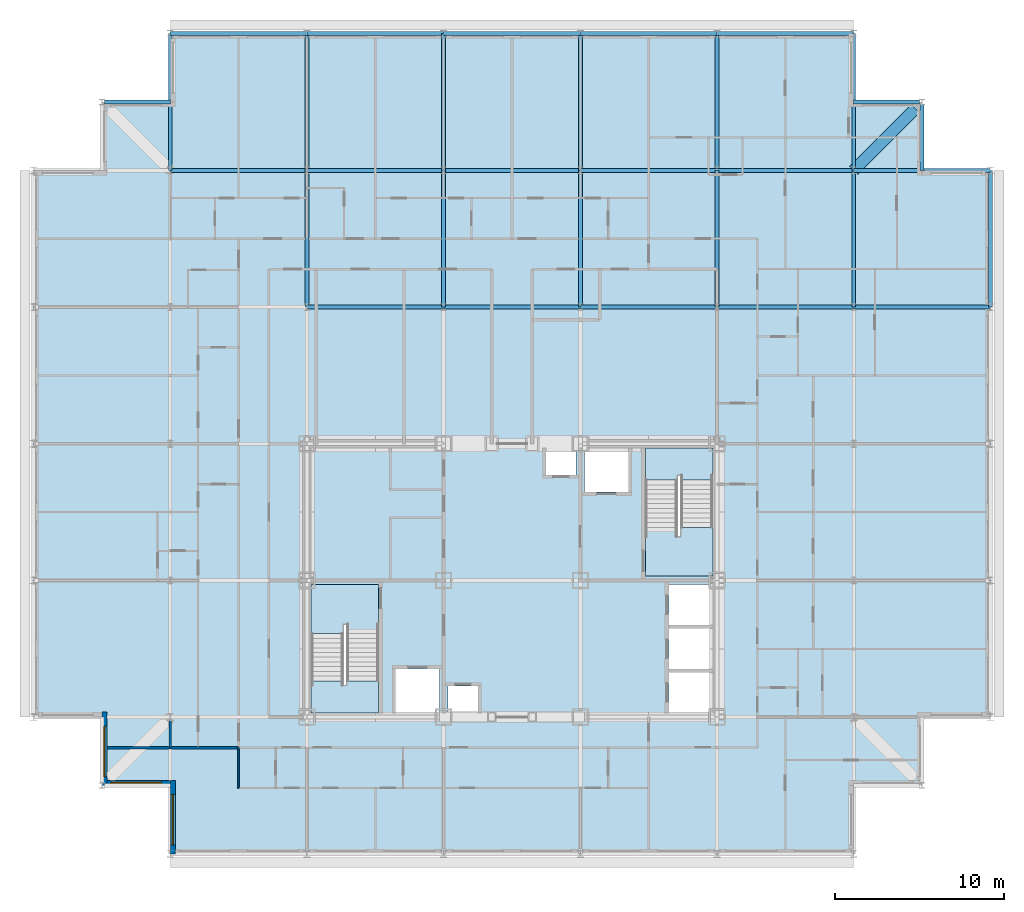
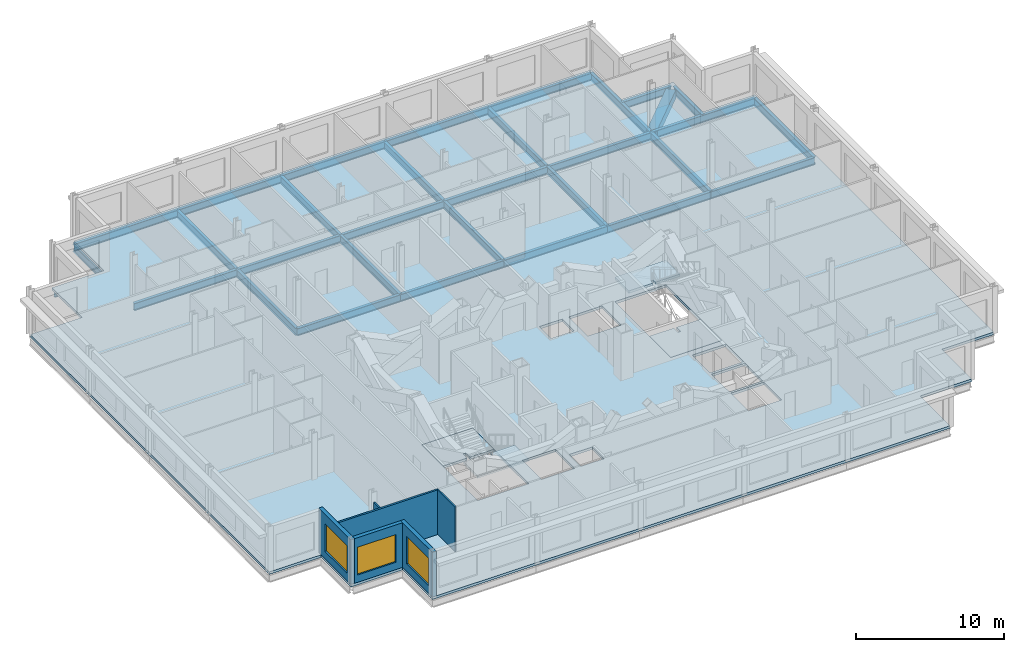
# One storey, part 6 of 15: 32 beams, 6 walls, 5 slabs, 3 windows, 3 openings, 2 elements without a shape of their own.
"""IFC4 building model written with IfcOpenShell, lengths in metres."""

from ifc_helpers import new_model, si_unit, direction, frame, frame_2d, origin, origin_2d, place, context, subcontext, project, spatial, polyline, rectangle, hollow_rectangle, i_section, outline, extrude, material, layer, layer_set, material_profile, profile_set, type_object, element, fill, aggregate, save


model = new_model("IFC4")

# Units and contexts
model_context = context("Model", 3, precision=1e-05, world=origin(), true_north=direction((0.0, 1.0)))
body_context = subcontext(model_context, "Body", "Model", "MODEL_VIEW")
ifc_project = project(units=[si_unit("LENGTHUNIT", "METRE"), si_unit("AREAUNIT", "SQUARE_METRE"), si_unit("VOLUMEUNIT", "CUBIC_METRE"), si_unit("PLANEANGLEUNIT", "RADIAN"), si_unit("MASSUNIT", "GRAM", prefix="KILO")], contexts=[model_context])

# Site, building, storey
site_placement = place(None, origin())
site = spatial("IfcSite", under=ifc_project, at=site_placement, CompositionType="ELEMENT")
building_placement = place(site_placement, origin())
building = spatial("IfcBuilding", under=site, at=building_placement, Name="Kopane Lantern Tower", CompositionType="ELEMENT")
storey_placement = place(building_placement, frame((0.0, 0.0, 269.699951171875)))
storey = spatial("IfcBuildingStorey", under=building, at=storey_placement, Name="L69", CompositionType="ELEMENT", Elevation=269.699951171875)

# Beams
ifc_material_1 = material(Name="Steel S355JR", Category="steel")
ifc_material_profile_1 = material_profile(ifc_material_1, hollow_rectangle(XDim=0.699951171875, YDim=0.699951171875, WallThickness=0.06005859375, at=origin_2d()), Name="BOX 700x700x60")
ifc_profile_set_1 = profile_set([ifc_material_profile_1], Name="Steel S355JR")
beam_type_1 = type_object("IfcBeamType", Name="CORNER TIE BEAM BOX 700x700x60", PredefinedType="BEAM", material=ifc_profile_set_1)
beam_1_placement = place(storey_placement, frame((52.25244140625, 60.3525390625, -0.56005859375), z_axis=(-0.707083148333, -0.70713041325, 0.0), x_axis=(0.70713041325, -0.707083148333, 0.0)))
element("IfcBeam", 1, at=beam_1_placement, inside=storey, type_object=beam_type_1, Name="Corner Tie Beam L69", PredefinedType="BEAM", context=body_context, shape_type="SweptSolid", body=[
    extrude(hollow_rectangle(XDim=0.699951171875, YDim=0.699951171875, WallThickness=0.06005859375, at=origin_2d()), origin(), (0.0, 0.0, 1.0), 5.165283203125),
])
ifc_material_2 = material(Name="Steel S355JR", Category="steel")
ifc_material_profile_2 = material_profile(ifc_material_2, i_section(OverallWidth=0.22900390625, OverallDepth=0.6123046875, WebThickness=0.011962890625, FlangeThickness=0.01953125, FilletRadius=0.0126953125, at=origin_2d()), Name="UB 610x229x125")
ifc_profile_set_2 = profile_set([ifc_material_profile_2], Name="Steel S355JR")
beam_type_2 = type_object("IfcBeamType", Name="EDGE BEAM UB 610x229x125", PredefinedType="BEAM", material=ifc_profile_set_2)
beam_2_placement = place(storey_placement, frame((4.20361328125, 60.75, -0.51611328125), z_axis=(1.0, 0.0, 0.0), x_axis=(0.0, 1.0, 0.0)))
element("IfcBeam", 2, at=beam_2_placement, inside=storey, type_object=beam_type_2, Name="Edge Beam L69", PredefinedType="BEAM", context=body_context, shape_type="SweptSolid", body=[
    extrude(i_section(OverallWidth=0.22900390625, OverallDepth=0.6123046875, WebThickness=0.011962890625, FlangeThickness=0.01953125, FilletRadius=0.0126953125, at=origin_2d()), origin(), (0.0, 0.0, 1.0), 3.896484375),
])
for number, where, z_axis, x_axis, name in (
    (3, (52.496337890625, 60.75, -0.51611328125), (-1.0, 0.0, 0.0), (0.0, -1.0, 0.0), "Edge Beam L69"),
    (4, (52.64990234375, 60.59619140625, -0.51611328125), (0.0, -1.0, 0.0), (1.0, 0.0, 0.0), "Edge Beam L69"),
):
    element("IfcBeam", number, at=place(storey_placement, frame(where, z_axis=z_axis, x_axis=x_axis)), inside=storey, type_object=beam_type_2, Name=name, PredefinedType="BEAM", context=body_context, shape_type="SweptSolid", body=[
        extrude(i_section(OverallWidth=0.22900390625, OverallDepth=0.6123046875, WebThickness=0.011962890625, FlangeThickness=0.01953125, FilletRadius=0.0126953125, at=origin_2d()), origin(), (0.0, 0.0, 1.0), 3.896240234375),
    ])
ifc_material_3 = material(Name="Steel S355JR", Category="steel")
ifc_material_profile_3 = material_profile(ifc_material_3, i_section(OverallWidth=0.22900390625, OverallDepth=0.6123046875, WebThickness=0.011962890625, FlangeThickness=0.01953125, FilletRadius=0.0126953125, at=origin_2d()), Name="UB 610x229x125")
ifc_profile_set_3 = profile_set([ifc_material_profile_3], Name="Steel S355JR")
beam_type_3 = type_object("IfcBeamType", Name="GIRDER UB 610x229x125", PredefinedType="BEAM", material=ifc_profile_set_3)
beam_3_placement = place(storey_placement, frame((8.10009765625, 56.699951171875, -0.51611328125), z_axis=(0.0, 1.0, 0.0), x_axis=(-1.0, 0.0, 0.0)))
element("IfcBeam", 5, at=beam_3_placement, inside=storey, type_object=beam_type_3, Name="Girder L69", PredefinedType="BEAM", context=body_context, shape_type="SweptSolid", body=[
    extrude(i_section(OverallWidth=0.22900390625, OverallDepth=0.6123046875, WebThickness=0.011962890625, FlangeThickness=0.01953125, FilletRadius=0.0126953125, at=origin_2d()), origin(), (0.0, 0.0, 1.0), 8.10009765625),
])
for number, where, z_axis, x_axis, name in (
    (6, (8.10009765625, 56.699951171875, -0.51611328125), (1.0, 0.0, 0.0), (0.0, 1.0, 0.0), "Girder L69"),
    (7, (8.10009765625, 64.800048828125, -0.51611328125), (1.0, 0.0, 0.0), (0.0, 1.0, 0.0), "Girder L69"),
    (8, (16.199951171875, 48.60009765625, -0.51611328125), (0.0, 1.0, 0.0), (-1.0, 0.0, 0.0), "Girder L69"),
):
    element("IfcBeam", number, at=place(storey_placement, frame(where, z_axis=z_axis, x_axis=x_axis)), inside=storey, type_object=beam_type_3, Name=name, PredefinedType="BEAM", context=body_context, shape_type="SweptSolid", body=[
        extrude(i_section(OverallWidth=0.22900390625, OverallDepth=0.6123046875, WebThickness=0.011962890625, FlangeThickness=0.01953125, FilletRadius=0.0126953125, at=origin_2d()), origin(), (0.0, 0.0, 1.0), 8.099853515625),
    ])
for number, where, z_axis, x_axis, name in (
    (9, (16.199951171875, 48.60009765625, -0.51611328125), (1.0, 0.0, 0.0), (0.0, 1.0, 0.0), "Girder L69"),
    (10, (16.199951171875, 56.699951171875, -0.51611328125), (0.0, 1.0, 0.0), (-1.0, 0.0, 0.0), "Girder L69"),
    (11, (16.199951171875, 56.699951171875, -0.51611328125), (1.0, 0.0, 0.0), (0.0, 1.0, 0.0), "Girder L69"),
    (12, (16.199951171875, 64.800048828125, -0.51611328125), (1.0, 0.0, 0.0), (0.0, 1.0, 0.0), "Girder L69"),
):
    element("IfcBeam", number, at=place(storey_placement, frame(where, z_axis=z_axis, x_axis=x_axis)), inside=storey, type_object=beam_type_3, Name=name, PredefinedType="BEAM", context=body_context, shape_type="SweptSolid", body=[
        extrude(i_section(OverallWidth=0.22900390625, OverallDepth=0.6123046875, WebThickness=0.011962890625, FlangeThickness=0.01953125, FilletRadius=0.0126953125, at=origin_2d()), origin(), (0.0, 0.0, 1.0), 8.10009765625),
    ])
for number, where, z_axis, x_axis, name in (
    (13, (24.300048828125, 48.60009765625, -0.51611328125), (0.0, 1.0, 0.0), (-1.0, 0.0, 0.0), "Girder L69"),
    (14, (24.300048828125, 48.60009765625, -0.51611328125), (1.0, 0.0, 0.0), (0.0, 1.0, 0.0), "Girder L69"),
):
    element("IfcBeam", number, at=place(storey_placement, frame(where, z_axis=z_axis, x_axis=x_axis)), inside=storey, type_object=beam_type_3, Name=name, PredefinedType="BEAM", context=body_context, shape_type="SweptSolid", body=[
        extrude(i_section(OverallWidth=0.22900390625, OverallDepth=0.6123046875, WebThickness=0.011962890625, FlangeThickness=0.01953125, FilletRadius=0.0126953125, at=origin_2d()), origin(), (0.0, 0.0, 1.0), 8.099853515625),
    ])
beam_4_placement = place(storey_placement, frame((24.300048828125, 56.699951171875, -0.51611328125), z_axis=(0.0, 1.0, 0.0), x_axis=(-1.0, 0.0, 0.0)))
element("IfcBeam", 15, at=beam_4_placement, inside=storey, type_object=beam_type_3, Name="Girder L69", PredefinedType="BEAM", context=body_context, shape_type="SweptSolid", body=[
    extrude(i_section(OverallWidth=0.22900390625, OverallDepth=0.6123046875, WebThickness=0.011962890625, FlangeThickness=0.01953125, FilletRadius=0.0126953125, at=origin_2d()), origin(), (0.0, 0.0, 1.0), 8.10009765625),
])
for number, where, z_axis, x_axis, name in (
    (16, (24.300048828125, 56.699951171875, -0.51611328125), (1.0, 0.0, 0.0), (0.0, 1.0, 0.0), "Girder L69"),
    (17, (24.300048828125, 64.800048828125, -0.51611328125), (1.0, 0.0, 0.0), (0.0, 1.0, 0.0), "Girder L69"),
    (18, (32.39990234375, 48.60009765625, -0.51611328125), (0.0, 1.0, 0.0), (-1.0, 0.0, 0.0), "Girder L69"),
):
    element("IfcBeam", number, at=place(storey_placement, frame(where, z_axis=z_axis, x_axis=x_axis)), inside=storey, type_object=beam_type_3, Name=name, PredefinedType="BEAM", context=body_context, shape_type="SweptSolid", body=[
        extrude(i_section(OverallWidth=0.22900390625, OverallDepth=0.6123046875, WebThickness=0.011962890625, FlangeThickness=0.01953125, FilletRadius=0.0126953125, at=origin_2d()), origin(), (0.0, 0.0, 1.0), 8.099853515625),
    ])
for number, where, z_axis, x_axis, name in (
    (19, (32.39990234375, 48.60009765625, -0.51611328125), (1.0, 0.0, 0.0), (0.0, 1.0, 0.0), "Girder L69"),
    (20, (32.39990234375, 56.699951171875, -0.51611328125), (0.0, 1.0, 0.0), (-1.0, 0.0, 0.0), "Girder L69"),
    (21, (32.39990234375, 56.699951171875, -0.51611328125), (1.0, 0.0, 0.0), (0.0, 1.0, 0.0), "Girder L69"),
    (22, (32.39990234375, 64.800048828125, -0.51611328125), (1.0, 0.0, 0.0), (0.0, 1.0, 0.0), "Girder L69"),
):
    element("IfcBeam", number, at=place(storey_placement, frame(where, z_axis=z_axis, x_axis=x_axis)), inside=storey, type_object=beam_type_3, Name=name, PredefinedType="BEAM", context=body_context, shape_type="SweptSolid", body=[
        extrude(i_section(OverallWidth=0.22900390625, OverallDepth=0.6123046875, WebThickness=0.011962890625, FlangeThickness=0.01953125, FilletRadius=0.0126953125, at=origin_2d()), origin(), (0.0, 0.0, 1.0), 8.10009765625),
    ])
beam_5_placement = place(storey_placement, frame((40.5, 48.60009765625, -0.51611328125), z_axis=(0.0, 1.0, 0.0), x_axis=(-1.0, 0.0, 0.0)))
element("IfcBeam", 23, at=beam_5_placement, inside=storey, type_object=beam_type_3, Name="Girder L69", PredefinedType="BEAM", context=body_context, shape_type="SweptSolid", body=[
    extrude(i_section(OverallWidth=0.22900390625, OverallDepth=0.6123046875, WebThickness=0.011962890625, FlangeThickness=0.01953125, FilletRadius=0.0126953125, at=origin_2d()), origin(), (0.0, 0.0, 1.0), 8.099853515625),
])
for number, where, z_axis, x_axis, name in (
    (24, (40.5, 48.60009765625, -0.51611328125), (1.0, 0.0, 0.0), (0.0, 1.0, 0.0), "Girder L69"),
    (25, (40.5, 56.699951171875, -0.51611328125), (0.0, 1.0, 0.0), (-1.0, 0.0, 0.0), "Girder L69"),
    (26, (40.5, 56.699951171875, -0.51611328125), (1.0, 0.0, 0.0), (0.0, 1.0, 0.0), "Girder L69"),
    (27, (40.5, 64.800048828125, -0.51611328125), (1.0, 0.0, 0.0), (0.0, 1.0, 0.0), "Girder L69"),
):
    element("IfcBeam", number, at=place(storey_placement, frame(where, z_axis=z_axis, x_axis=x_axis)), inside=storey, type_object=beam_type_3, Name=name, PredefinedType="BEAM", context=body_context, shape_type="SweptSolid", body=[
        extrude(i_section(OverallWidth=0.22900390625, OverallDepth=0.6123046875, WebThickness=0.011962890625, FlangeThickness=0.01953125, FilletRadius=0.0126953125, at=origin_2d()), origin(), (0.0, 0.0, 1.0), 8.10009765625),
    ])
for number, where, z_axis, x_axis, name in (
    (28, (48.60009765625, 48.60009765625, -0.51611328125), (0.0, 1.0, 0.0), (-1.0, 0.0, 0.0), "Girder L69"),
    (29, (48.60009765625, 48.60009765625, -0.51611328125), (1.0, 0.0, 0.0), (0.0, 1.0, 0.0), "Girder L69"),
):
    element("IfcBeam", number, at=place(storey_placement, frame(where, z_axis=z_axis, x_axis=x_axis)), inside=storey, type_object=beam_type_3, Name=name, PredefinedType="BEAM", context=body_context, shape_type="SweptSolid", body=[
        extrude(i_section(OverallWidth=0.22900390625, OverallDepth=0.6123046875, WebThickness=0.011962890625, FlangeThickness=0.01953125, FilletRadius=0.0126953125, at=origin_2d()), origin(), (0.0, 0.0, 1.0), 8.099853515625),
    ])
beam_6_placement = place(storey_placement, frame((48.60009765625, 56.699951171875, -0.51611328125), z_axis=(0.0, 1.0, 0.0), x_axis=(-1.0, 0.0, 0.0)))
element("IfcBeam", 30, at=beam_6_placement, inside=storey, type_object=beam_type_3, Name="Girder L69", PredefinedType="BEAM", context=body_context, shape_type="SweptSolid", body=[
    extrude(i_section(OverallWidth=0.22900390625, OverallDepth=0.6123046875, WebThickness=0.011962890625, FlangeThickness=0.01953125, FilletRadius=0.0126953125, at=origin_2d()), origin(), (0.0, 0.0, 1.0), 8.10009765625),
])
for number, where, z_axis, x_axis, name in (
    (31, (48.60009765625, 56.699951171875, -0.51611328125), (1.0, 0.0, 0.0), (0.0, 1.0, 0.0), "Girder L69"),
    (32, (56.699951171875, 48.60009765625, -0.51611328125), (0.0, 1.0, 0.0), (-1.0, 0.0, 0.0), "Girder L69"),
):
    element("IfcBeam", number, at=place(storey_placement, frame(where, z_axis=z_axis, x_axis=x_axis)), inside=storey, type_object=beam_type_3, Name=name, PredefinedType="BEAM", context=body_context, shape_type="SweptSolid", body=[
        extrude(i_section(OverallWidth=0.22900390625, OverallDepth=0.6123046875, WebThickness=0.011962890625, FlangeThickness=0.01953125, FilletRadius=0.0126953125, at=origin_2d()), origin(), (0.0, 0.0, 1.0), 8.099853515625),
    ])

# Slab
ifc_material_4 = material(Name="Concrete C40/50", Category="concrete")
ifc_layer_1 = layer(ifc_material_4, 0.2099609375)
ifc_layer_set_1 = layer_set([ifc_layer_1], Name="SLAB 210 COMPOSITE")
slab_type_1 = type_object("IfcSlabType", Name="SLAB 210 COMPOSITE", PredefinedType="FLOOR", material=ifc_layer_set_1)
slab_1_placement = place(storey_placement, frame((0.0, 0.0, -0.2099609375)))
element("IfcSlab", 33, at=slab_1_placement, inside=storey, type_object=slab_type_1, Name="Floor slab L69", PredefinedType="FLOOR", context=body_context, shape_type="SweptSolid", body=[
    extrude(outline(polyline([(8.10009765625, 16.199951171875), (48.60009765625, 16.199951171875), (48.60009765625, 20.25), (52.64990234375, 20.25), (52.64990234375, 24.300048828125), (56.699951171875, 24.300048828125), (56.699951171875, 56.699951171875), (52.64990234375, 56.699951171875), (52.64990234375, 60.75), (48.60009765625, 60.75), (48.60009765625, 64.800048828125), (8.10009765625, 64.800048828125), (8.10009765625, 60.75), (4.050048828125, 60.75), (4.050048828125, 56.699951171875), (0.0, 56.699951171875), (0.0, 24.300048828125), (4.050048828125, 24.300048828125), (4.050048828125, 20.25), (8.10009765625, 20.25), (8.10009765625, 16.199951171875)]), holes=[polyline([(16.449951171875, 24.550048828125), (20.449951171875, 24.550048828125), (20.449951171875, 32.14990234375), (16.449951171875, 32.14990234375), (16.449951171875, 24.550048828125)]), polyline([(36.25, 32.64990234375), (40.25, 32.64990234375), (40.25, 40.25), (36.25, 40.25), (36.25, 32.64990234375)]), polyline([(37.64990234375, 24.550048828125), (40.25, 24.550048828125), (40.25, 26.949951171875), (37.64990234375, 26.949951171875), (37.64990234375, 24.550048828125)]), polyline([(37.64990234375, 27.14990234375), (40.25, 27.14990234375), (40.25, 29.550048828125), (37.64990234375, 29.550048828125), (37.64990234375, 27.14990234375)]), polyline([(37.64990234375, 29.75), (40.25, 29.75), (40.25, 32.14990234375), (37.64990234375, 32.14990234375), (37.64990234375, 29.75)]), polyline([(21.449951171875, 24.550048828125), (24.050048828125, 24.550048828125), (24.050048828125, 27.14990234375), (21.449951171875, 27.14990234375), (21.449951171875, 24.550048828125)]), polyline([(32.64990234375, 37.64990234375), (35.25, 37.64990234375), (35.25, 40.25), (32.64990234375, 40.25), (32.64990234375, 37.64990234375)]), polyline([(24.550048828125, 24.550048828125), (26.35009765625, 24.550048828125), (26.35009765625, 26.14990234375), (24.550048828125, 26.14990234375), (24.550048828125, 24.550048828125)]), polyline([(30.35009765625, 38.64990234375), (32.14990234375, 38.64990234375), (32.14990234375, 40.25), (30.35009765625, 40.25), (30.35009765625, 38.64990234375)])]), origin(), (0.0, 0.0, 1.0), 0.2099609375),
])

# Stair, slabs
ifc_material_5 = material(Name="Steel S355JR", Category="steel")
stair_type = type_object("IfcStairType", Name="EXIT STAIR 1900 HALF TURN", PredefinedType="HALF_TURN_STAIR", material=ifc_material_5)
stair_1_placement = place(storey_placement, origin())
stair_1 = element("IfcStair", 34, at=stair_1_placement, inside=storey, type_object=stair_type, Name="Exit stair ST1 L69", PredefinedType="HALF_TURN_STAIR")
ifc_material_6 = material(Name="Concrete C40/50", Category="concrete")
ifc_layer_2 = layer(ifc_material_6, 0.199951171875)
ifc_layer_set_2 = layer_set([ifc_layer_2], Name="STAIR LANDING 200")
slab_type_2 = type_object("IfcSlabType", Name="STAIR LANDING 200", PredefinedType="LANDING", material=ifc_layer_set_2)
slab_2_placement = place(storey_placement, frame((0.0, 0.0, -0.199951171875)))
slab_2 = element("IfcSlab", 35, at=slab_2_placement, type_object=slab_type_2, Name="ST1 landing 1", PredefinedType="LANDING", context=body_context, shape_type="SweptSolid", body=[
    extrude(outline(polyline([(18.35009765625, 29.81005859375), (18.550048828125, 29.81005859375), (18.550048828125, 29.25), (20.449951171875, 29.25), (20.449951171875, 32.14990234375), (16.449951171875, 32.14990234375), (16.449951171875, 29.25), (18.35009765625, 29.25), (18.35009765625, 29.81005859375)])), origin(), (0.0, 0.0, 1.0), 0.199951171875),
])
slab_3_placement = place(storey_placement, frame((0.0, 0.0, 1.8349609375)))
slab_3 = element("IfcSlab", 36, at=slab_3_placement, type_object=slab_type_2, Name="ST1 landing 2", PredefinedType="LANDING", context=body_context, shape_type="SweptSolid", body=[
    extrude(outline(polyline([(20.449951171875, 26.449951171875), (18.550048828125, 26.449951171875), (18.550048828125, 26.169921875), (18.35009765625, 26.169921875), (18.35009765625, 26.449951171875), (16.449951171875, 26.449951171875), (16.449951171875, 24.550048828125), (20.449951171875, 24.550048828125), (20.449951171875, 26.449951171875)])), origin(), (0.0, 0.0, 1.0), 0.199951171875),
])
aggregate(stair_1, [slab_2, slab_3])

stair_2_placement = place(storey_placement, origin())
stair_2 = element("IfcStair", 37, at=stair_2_placement, inside=storey, type_object=stair_type, Name="Exit stair ST2 L69", PredefinedType="HALF_TURN_STAIR")
slab_4_placement = place(storey_placement, frame((0.0, 0.0, -0.199951171875)))
slab_4 = element("IfcSlab", 38, at=slab_4_placement, type_object=slab_type_2, Name="ST2 landing 1", PredefinedType="LANDING", context=body_context, shape_type="SweptSolid", body=[
    extrude(outline(polyline([(40.25, 35.550048828125), (38.35009765625, 35.550048828125), (38.35009765625, 34.989990234375), (38.14990234375, 34.989990234375), (38.14990234375, 35.550048828125), (36.25, 35.550048828125), (36.25, 32.64990234375), (40.25, 32.64990234375), (40.25, 35.550048828125)])), origin(), (0.0, 0.0, 1.0), 0.199951171875),
])
slab_5_placement = place(storey_placement, frame((0.0, 0.0, 1.8349609375)))
slab_5 = element("IfcSlab", 39, at=slab_5_placement, type_object=slab_type_2, Name="ST2 landing 2", PredefinedType="LANDING", context=body_context, shape_type="SweptSolid", body=[
    extrude(outline(polyline([(38.14990234375, 38.6298828125), (38.35009765625, 38.6298828125), (38.35009765625, 38.35009765625), (40.25, 38.35009765625), (40.25, 40.25), (36.25, 40.25), (36.25, 38.35009765625), (38.14990234375, 38.35009765625), (38.14990234375, 38.6298828125)])), origin(), (0.0, 0.0, 1.0), 0.199951171875),
])
aggregate(stair_2, [slab_4, slab_5])

# Walls
ifc_material_7 = material(Name="Gypsum board on steel studs", Category="steel")
ifc_layer_3 = layer(ifc_material_7, 0.1201171875)
ifc_layer_set_3 = layer_set([ifc_layer_3], Name="APARTMENT INTERNAL WALL 120")
wall_type_1 = type_object("IfcWallType", Name="APARTMENT INTERNAL WALL 120", PredefinedType="PARTITIONING", material=ifc_layer_set_3)
wall_1_placement = place(storey_placement, frame((8.10009765625, 22.5, 0.0), z_axis=(0.0, 0.0, 1.0), x_axis=(0.0, 1.0, 0.0)))
element("IfcWall", 40, at=wall_1_placement, inside=storey, type_object=wall_type_1, Name="Apartment Internal Wall 120 L69", PredefinedType="PARTITIONING", context=body_context, shape_type="SweptSolid", body=[
    extrude(rectangle(XDim=1.596923828125, YDim=0.1201171875, at=frame_2d((0.79833984375, 0.0))), origin(), (0.0, 0.0, 1.0), 3.077880859375),
])
ifc_material_8 = material(Name="Moisture-resistant board on steel studs", Category="steel")
ifc_layer_4 = layer(ifc_material_8, 0.10009765625)
ifc_layer_set_4 = layer_set([ifc_layer_4], Name="BATHROOM WALL 100")
wall_type_2 = type_object("IfcWallType", Name="BATHROOM WALL 100", PredefinedType="PARTITIONING", material=ifc_layer_set_4)
wall_2_placement = place(storey_placement, frame((12.14990234375, 22.5, 0.0), z_axis=(0.0, 0.0, 1.0), x_axis=(0.0, -1.0, 0.0)))
element("IfcWall", 41, at=wall_2_placement, inside=storey, type_object=wall_type_2, Name="Bathroom Wall 100 L69", PredefinedType="PARTITIONING", context=body_context, shape_type="SweptSolid", body=[
    extrude(rectangle(XDim=2.39990234375, YDim=0.10009765625, at=frame_2d((1.199951171875, 0.0))), origin(), (0.0, 0.0, 1.0), 3.68994140625),
])
ifc_material_9 = material(Name="Gypsum board on steel studs", Category="steel")
ifc_layer_5 = layer(ifc_material_9, 0.14990234375)
ifc_layer_set_5 = layer_set([ifc_layer_5], Name="DEMISING WALL 150 EI 60")
wall_type_3 = type_object("IfcWallType", Name="DEMISING WALL 150 EI 60", PredefinedType="PARTITIONING", material=ifc_layer_set_5)
wall_3_placement = place(storey_placement, frame((4.35009765625, 22.5, 0.0), z_axis=(0.0, 0.0, 1.0), x_axis=(1.0, 0.0, 0.0)))
element("IfcWall", 42, at=wall_3_placement, inside=storey, type_object=wall_type_3, Name="Demising Wall 150 Ei 60 L69", PredefinedType="PARTITIONING", context=body_context, shape_type="SweptSolid", body=[
    extrude(rectangle(XDim=7.7998046875, YDim=0.14990234375, at=frame_2d((3.89990234375, 0.0))), origin(), (0.0, 0.0, 1.0), 3.68994140625),
])

# Wall, opening, window
ifc_material_10 = material(Name="Terracotta rainscreen on light steel framing", Category="masonry")
ifc_layer_6 = layer(ifc_material_10, 0.300048828125)
ifc_layer_set_6 = layer_set([ifc_layer_6], Name="EXTERNAL WALL EW1 300 TERRACOTTA")
wall_type_4 = type_object("IfcWallType", Name="EXTERNAL WALL EW1 300 TERRACOTTA", PredefinedType="SOLIDWALL", material=ifc_layer_set_6)
wall_4_placement = place(storey_placement, frame((4.199951171875, 24.60009765625, 0.0), z_axis=(0.0, 0.0, 1.0), x_axis=(0.0, -1.0, 0.0)))
wall_4 = element("IfcWall", 43, at=wall_4_placement, inside=storey, type_object=wall_type_4, Name="External wall W L69", PredefinedType="SOLIDWALL", context=body_context, shape_type="SweptSolid", body=[
    extrude(rectangle(XDim=4.35009765625, YDim=0.300048828125, at=frame_2d((2.175048828125, 0.0))), origin(), (0.0, 0.0, 1.0), 3.68994140625),
])
opening_1_placement = place(wall_4_placement, frame((0.824951171875, 0.0, 0.60009765625)))
opening_1 = element("IfcOpeningElement", 44, at=opening_1_placement, cuts=wall_4, Name="Opening WR300230", PredefinedType="OPENING", context=body_context, shape_type="SweptSolid", body=[
    extrude(rectangle(XDim=3.0, YDim=2.300048828125, at=frame_2d((1.5, 1.14990234375))), frame((0.0, 0.159912109375, 0.0), z_axis=(0.0, -1.0, 0.0), x_axis=(1.0, 0.0, 0.0)), (0.0, 0.0, 1.0), 0.320068359375),
])
ifc_material_11 = material(Name="Aluminium and clear glass", Category="aluminium")
window_type = type_object("IfcWindowType", Name="RIBBON WINDOW WR300230 3000x2300", PartitioningType="SINGLE_PANEL", PredefinedType="WINDOW", material=ifc_material_11)
window_1_placement = place(opening_1_placement, origin())
window_1 = element("IfcWindow", 45, at=window_1_placement, inside=storey, type_object=window_type, Name="Window W L69", OverallHeight=2.300048828125, OverallWidth=3.0, PartitioningType="SINGLE_PANEL", PredefinedType="WINDOW", context=body_context, shape_type="SweptSolid", body=[
    extrude(rectangle(XDim=3.0, YDim=2.300048828125, at=frame_2d((1.5, 1.14990234375))), frame((0.0, 0.030029296875, 0.0), z_axis=(0.0, -1.0, 0.0), x_axis=(1.0, 0.0, 0.0)), (0.0, 0.0, 1.0), 0.06005859375),
])
fill(opening_1, window_1)

wall_5_placement = place(storey_placement, frame((4.35009765625, 20.39990234375, 0.0), z_axis=(0.0, 0.0, 1.0), x_axis=(1.0, 0.0, 0.0)))
wall_5 = element("IfcWall", 46, at=wall_5_placement, inside=storey, type_object=wall_type_4, Name="External wall S L69", PredefinedType="SOLIDWALL", context=body_context, shape_type="SweptSolid", body=[
    extrude(rectangle(XDim=3.75, YDim=0.300048828125, at=frame_2d((1.875, 0.0))), origin(), (0.0, 0.0, 1.0), 3.68994140625),
])
opening_2_placement = place(wall_5_placement, frame((0.22509765625, 0.0, 0.60009765625)))
opening_2 = element("IfcOpeningElement", 47, at=opening_2_placement, cuts=wall_5, Name="Opening WR300230", PredefinedType="OPENING", context=body_context, shape_type="SweptSolid", body=[
    extrude(rectangle(XDim=3.0, YDim=2.300048828125, at=frame_2d((1.5, 1.14990234375))), frame((0.0, 0.159912109375, 0.0), z_axis=(0.0, -1.0, 0.0), x_axis=(1.0, 0.0, 0.0)), (0.0, 0.0, 1.0), 0.320068359375),
])
window_2_placement = place(opening_2_placement, origin())
window_2 = element("IfcWindow", 48, at=window_2_placement, inside=storey, type_object=window_type, Name="Window S L69", OverallHeight=2.300048828125, OverallWidth=3.0, PartitioningType="SINGLE_PANEL", PredefinedType="WINDOW", context=body_context, shape_type="SweptSolid", body=[
    extrude(rectangle(XDim=3.0, YDim=2.300048828125, at=frame_2d((1.5, 1.14990234375))), frame((0.0, 0.030029296875, 0.0), z_axis=(0.0, -1.0, 0.0), x_axis=(1.0, 0.0, 0.0)), (0.0, 0.0, 1.0), 0.06005859375),
])
fill(opening_2, window_2)

wall_6_placement = place(storey_placement, frame((8.25, 20.550048828125, 0.0), z_axis=(0.0, 0.0, 1.0), x_axis=(0.0, -1.0, 0.0)))
wall_6 = element("IfcWall", 49, at=wall_6_placement, inside=storey, type_object=wall_type_4, Name="External wall W L69", PredefinedType="SOLIDWALL", context=body_context, shape_type="SweptSolid", body=[
    extrude(rectangle(XDim=4.35009765625, YDim=0.300048828125, at=frame_2d((2.175048828125, 0.0))), origin(), (0.0, 0.0, 1.0), 3.68994140625),
])
opening_3_placement = place(wall_6_placement, frame((0.824951171875, 0.0, 0.60009765625)))
opening_3 = element("IfcOpeningElement", 50, at=opening_3_placement, cuts=wall_6, Name="Opening WR300230", PredefinedType="OPENING", context=body_context, shape_type="SweptSolid", body=[
    extrude(rectangle(XDim=3.0, YDim=2.300048828125, at=frame_2d((1.5, 1.14990234375))), frame((0.0, 0.159912109375, 0.0), z_axis=(0.0, -1.0, 0.0), x_axis=(1.0, 0.0, 0.0)), (0.0, 0.0, 1.0), 0.320068359375),
])
window_3_placement = place(opening_3_placement, origin())
window_3 = element("IfcWindow", 51, at=window_3_placement, inside=storey, type_object=window_type, Name="Window W L69", OverallHeight=2.300048828125, OverallWidth=3.0, PartitioningType="SINGLE_PANEL", PredefinedType="WINDOW", context=body_context, shape_type="SweptSolid", body=[
    extrude(rectangle(XDim=3.0, YDim=2.300048828125, at=frame_2d((1.5, 1.14990234375))), frame((0.0, 0.030029296875, 0.0), z_axis=(0.0, -1.0, 0.0), x_axis=(1.0, 0.0, 0.0)), (0.0, 0.0, 1.0), 0.06005859375),
])
fill(opening_3, window_3)

save(model, "model.ifc")
